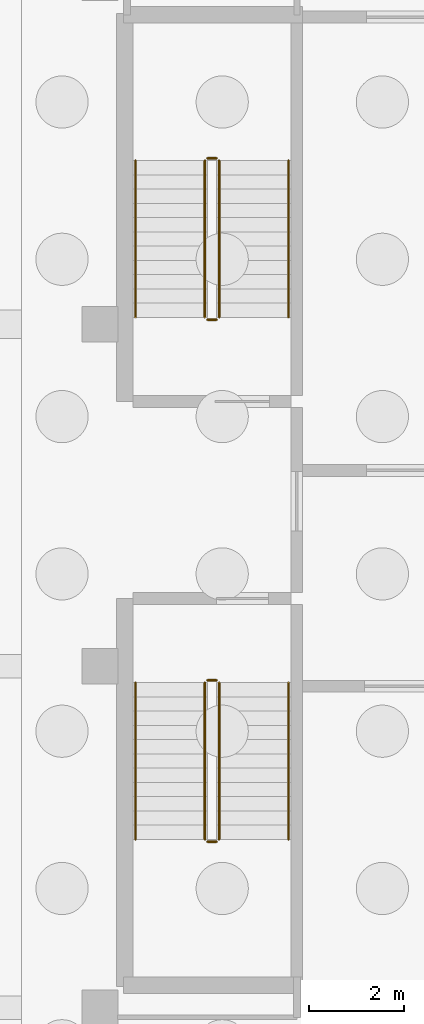
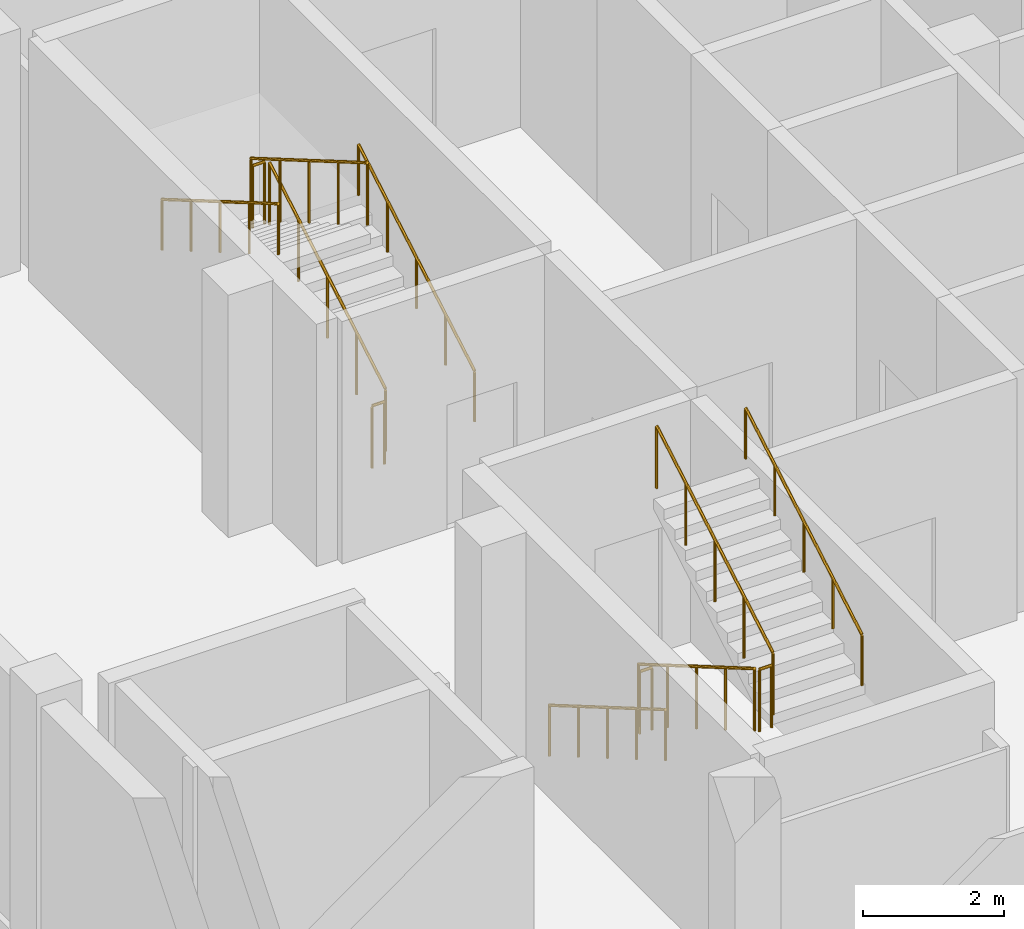
# One storey, part 19 of 21: 12 railings.
"""IFC4 building model written with IfcOpenShell, lengths in metres."""

from ifc_helpers import new_model, si_unit, direction, frame, origin, origin_2d, place, context, subcontext, project, spatial, circle, extrude, material, type_object, element, save


model = new_model("IFC4")

# Units and contexts
model_context = context("Model", 3, precision=1e-05, world=origin(), true_north=direction((0.0, 1.0)))
body_context = subcontext(model_context, "Body", "Model", "MODEL_VIEW")
ifc_project = project(units=[si_unit("LENGTHUNIT", "METRE"), si_unit("AREAUNIT", "SQUARE_METRE"), si_unit("VOLUMEUNIT", "CUBIC_METRE"), si_unit("PLANEANGLEUNIT", "RADIAN"), si_unit("MASSUNIT", "GRAM", prefix="KILO")], contexts=[model_context])

# Site, building, storey
site_placement = place(None, origin())
site = spatial("IfcSite", under=ifc_project, at=site_placement, CompositionType="ELEMENT")
building_placement = place(site_placement, origin())
building = spatial("IfcBuilding", under=site, at=building_placement, Name="Quillay Park Conservatory", CompositionType="ELEMENT")
storey_placement = place(building_placement, frame((0.0, 0.0, -8.39990234375)))
storey = spatial("IfcBuildingStorey", under=building, at=storey_placement, Name="B2", CompositionType="ELEMENT", Elevation=-8.39990234375)

# Railings
ifc_material_1 = material(Name="Steel S355J2H", Category="steel")
railing_type_1 = type_object("IfcRailingType", Name="STAIR WALL HANDRAIL 900", PredefinedType="HANDRAIL", material=ifc_material_1)
railing_1_placement = place(storey_placement, frame((11.820068359375, 92.550048828125, 0.1748046875)))
element("IfcRailing", 1, at=railing_1_placement, inside=storey, type_object=railing_type_1, Name="B2 ST-T1 stair handrail 1", PredefinedType="HANDRAIL", context=body_context, shape_type="SweptSolid", body=[
    extrude(circle(Radius=0.02392578125, at=origin_2d()), frame((0.0, 0.0, 0.8759765625), z_axis=(0.0, 0.863776583165, 0.503874998761), x_axis=(-1.0, 0.0, 0.0)), (0.0, 0.0, 1.0), 3.820556640625),
    extrude(circle(Radius=0.02099609375, at=origin_2d()), origin(), (0.0, 0.0, 1.0), 0.851806640625),
    extrude(circle(Radius=0.02099609375, at=origin_2d()), frame((0.0, 0.824951171875, 0.481201171875)), (0.0, 0.0, 1.0), 0.851806640625),
    extrude(circle(Radius=0.02099609375, at=origin_2d()), frame((0.0, 1.64990234375, 0.96240234375)), (0.0, 0.0, 1.0), 0.851806640625),
    extrude(circle(Radius=0.02099609375, at=origin_2d()), frame((0.0, 2.47509765625, 1.44384765625)), (0.0, 0.0, 1.0), 0.851806640625),
    extrude(circle(Radius=0.02099609375, at=origin_2d()), frame((0.0, 3.300048828125, 1.925048828125)), (0.0, 0.0, 1.0), 0.851806640625),
])
for number, where, name in (
    (2, (8.60009765625, 95.85009765625, 2.27490234375), "B2 ST-T1 stair handrail 2"),
    (3, (8.60009765625, 84.85009765625, 0.1748046875), "B2 ST-T2 stair handrail 1"),
):
    element("IfcRailing", number, at=place(storey_placement, frame(where)), inside=storey, type_object=railing_type_1, Name=name, PredefinedType="HANDRAIL", context=body_context, shape_type="SweptSolid", body=[
        extrude(circle(Radius=0.02392578125, at=origin_2d()), frame((0.0, 0.0, 0.8759765625), z_axis=(0.0, -0.863776583165, 0.503874998761), x_axis=(1.0, 0.0, 0.0)), (0.0, 0.0, 1.0), 3.820556640625),
        extrude(circle(Radius=0.02099609375, at=origin_2d()), origin(), (0.0, 0.0, 1.0), 0.851806640625),
        extrude(circle(Radius=0.02099609375, at=origin_2d()), frame((0.0, -0.824951171875, 0.481201171875)), (0.0, 0.0, 1.0), 0.851806640625),
        extrude(circle(Radius=0.02099609375, at=origin_2d()), frame((0.0, -1.64990234375, 0.96240234375)), (0.0, 0.0, 1.0), 0.851806640625),
        extrude(circle(Radius=0.02099609375, at=origin_2d()), frame((0.0, -2.47509765625, 1.44384765625)), (0.0, 0.0, 1.0), 0.851806640625),
        extrude(circle(Radius=0.02099609375, at=origin_2d()), frame((0.0, -3.300048828125, 1.925048828125)), (0.0, 0.0, 1.0), 0.851806640625),
    ])
railing_2_placement = place(storey_placement, frame((11.820068359375, 81.550048828125, 2.27490234375)))
element("IfcRailing", 4, at=railing_2_placement, inside=storey, type_object=railing_type_1, Name="B2 ST-T2 stair handrail 2", PredefinedType="HANDRAIL", context=body_context, shape_type="SweptSolid", body=[
    extrude(circle(Radius=0.02392578125, at=origin_2d()), frame((0.0, 0.0, 0.8759765625), z_axis=(0.0, 0.863776583165, 0.503874998761), x_axis=(-1.0, 0.0, 0.0)), (0.0, 0.0, 1.0), 3.820556640625),
    extrude(circle(Radius=0.02099609375, at=origin_2d()), origin(), (0.0, 0.0, 1.0), 0.851806640625),
    extrude(circle(Radius=0.02099609375, at=origin_2d()), frame((0.0, 0.824951171875, 0.481201171875)), (0.0, 0.0, 1.0), 0.851806640625),
    extrude(circle(Radius=0.02099609375, at=origin_2d()), frame((0.0, 1.64990234375, 0.96240234375)), (0.0, 0.0, 1.0), 0.851806640625),
    extrude(circle(Radius=0.02099609375, at=origin_2d()), frame((0.0, 2.47509765625, 1.44384765625)), (0.0, 0.0, 1.0), 0.851806640625),
    extrude(circle(Radius=0.02099609375, at=origin_2d()), frame((0.0, 3.300048828125, 1.925048828125)), (0.0, 0.0, 1.0), 0.851806640625),
])
ifc_material_2 = material(Name="Steel S355J2H", Category="steel")
railing_type_2 = type_object("IfcRailingType", Name="STAIR WELL GUARDRAIL 1100", PredefinedType="GUARDRAIL", material=ifc_material_2)
railing_3_placement = place(storey_placement, frame((10.360107421875, 92.550048828125, 0.1748046875)))
element("IfcRailing", 5, at=railing_3_placement, inside=storey, type_object=railing_type_2, Name="B2 ST-T1 stair guard 1", PredefinedType="GUARDRAIL", context=body_context, shape_type="SweptSolid", body=[
    extrude(circle(Radius=0.02392578125, at=origin_2d()), frame((0.0, 0.0, 1.076171875), z_axis=(0.0, 0.863776583165, 0.503874998761), x_axis=(-1.0, 0.0, 0.0)), (0.0, 0.0, 1.0), 3.820556640625),
    extrude(circle(Radius=0.02099609375, at=origin_2d()), origin(), (0.0, 0.0, 1.0), 1.052001953125),
    extrude(circle(Radius=0.02099609375, at=origin_2d()), frame((0.0, 0.824951171875, 0.481201171875)), (0.0, 0.0, 1.0), 1.052001953125),
    extrude(circle(Radius=0.02099609375, at=origin_2d()), frame((0.0, 1.64990234375, 0.96240234375)), (0.0, 0.0, 1.0), 1.052001953125),
    extrude(circle(Radius=0.02099609375, at=origin_2d()), frame((0.0, 2.47509765625, 1.44384765625)), (0.0, 0.0, 1.0), 1.052001953125),
    extrude(circle(Radius=0.02099609375, at=origin_2d()), frame((0.0, 3.300048828125, 1.925048828125)), (0.0, 0.0, 1.0), 1.052001953125),
])
railing_4_placement = place(storey_placement, frame((10.31005859375, 95.89990234375, 2.099853515625)))
element("IfcRailing", 6, at=railing_4_placement, inside=storey, type_object=railing_type_2, Name="B2 ST-T1 stair guard 2", PredefinedType="GUARDRAIL", context=body_context, shape_type="SweptSolid", body=[
    extrude(circle(Radius=0.02392578125, at=origin_2d()), frame((0.0, 0.0, 1.076171875), z_axis=(-1.0, 0.0, 0.0), x_axis=(0.0, -1.0, 0.0)), (0.0, 0.0, 1.0), 0.199951171875),
    extrude(circle(Radius=0.02099609375, at=origin_2d()), origin(), (0.0, 0.0, 1.0), 1.052001953125),
    extrude(circle(Radius=0.02099609375, at=origin_2d()), frame((-0.199951171875, 0.0, 0.0)), (0.0, 0.0, 1.0), 1.052001953125),
])
railing_5_placement = place(storey_placement, frame((10.06005859375, 95.85009765625, 2.27490234375)))
element("IfcRailing", 7, at=railing_5_placement, inside=storey, type_object=railing_type_2, Name="B2 ST-T1 stair guard 3", PredefinedType="GUARDRAIL", context=body_context, shape_type="SweptSolid", body=[
    extrude(circle(Radius=0.02392578125, at=origin_2d()), frame((0.0, 0.0, 1.076171875), z_axis=(0.0, -0.863776583165, 0.503874998761), x_axis=(1.0, 0.0, 0.0)), (0.0, 0.0, 1.0), 3.820556640625),
    extrude(circle(Radius=0.02099609375, at=origin_2d()), origin(), (0.0, 0.0, 1.0), 1.052001953125),
    extrude(circle(Radius=0.02099609375, at=origin_2d()), frame((0.0, -0.824951171875, 0.481201171875)), (0.0, 0.0, 1.0), 1.052001953125),
    extrude(circle(Radius=0.02099609375, at=origin_2d()), frame((0.0, -1.64990234375, 0.96240234375)), (0.0, 0.0, 1.0), 1.052001953125),
    extrude(circle(Radius=0.02099609375, at=origin_2d()), frame((0.0, -2.47509765625, 1.44384765625)), (0.0, 0.0, 1.0), 1.052001953125),
    extrude(circle(Radius=0.02099609375, at=origin_2d()), frame((0.0, -3.300048828125, 1.925048828125)), (0.0, 0.0, 1.0), 1.052001953125),
])
railing_6_placement = place(storey_placement, frame((10.31005859375, 92.5, 0.0)))
element("IfcRailing", 8, at=railing_6_placement, inside=storey, type_object=railing_type_2, Name="B2 ST-T1 stair guard 4", PredefinedType="GUARDRAIL", context=body_context, shape_type="SweptSolid", body=[
    extrude(circle(Radius=0.02392578125, at=origin_2d()), frame((0.0, 0.0, 1.076171875), z_axis=(-1.0, 0.0, 0.0), x_axis=(0.0, -1.0, 0.0)), (0.0, 0.0, 1.0), 0.199951171875),
    extrude(circle(Radius=0.02099609375, at=origin_2d()), origin(), (0.0, 0.0, 1.0), 1.052001953125),
    extrude(circle(Radius=0.02099609375, at=origin_2d()), frame((-0.199951171875, 0.0, 0.0)), (0.0, 0.0, 1.0), 1.052001953125),
])
railing_7_placement = place(storey_placement, frame((10.06005859375, 84.85009765625, 0.1748046875)))
element("IfcRailing", 9, at=railing_7_placement, inside=storey, type_object=railing_type_2, Name="B2 ST-T2 stair guard 1", PredefinedType="GUARDRAIL", context=body_context, shape_type="SweptSolid", body=[
    extrude(circle(Radius=0.02392578125, at=origin_2d()), frame((0.0, 0.0, 1.076171875), z_axis=(0.0, -0.863776583165, 0.503874998761), x_axis=(1.0, 0.0, 0.0)), (0.0, 0.0, 1.0), 3.820556640625),
    extrude(circle(Radius=0.02099609375, at=origin_2d()), origin(), (0.0, 0.0, 1.0), 1.052001953125),
    extrude(circle(Radius=0.02099609375, at=origin_2d()), frame((0.0, -0.824951171875, 0.481201171875)), (0.0, 0.0, 1.0), 1.052001953125),
    extrude(circle(Radius=0.02099609375, at=origin_2d()), frame((0.0, -1.64990234375, 0.96240234375)), (0.0, 0.0, 1.0), 1.052001953125),
    extrude(circle(Radius=0.02099609375, at=origin_2d()), frame((0.0, -2.47509765625, 1.44384765625)), (0.0, 0.0, 1.0), 1.052001953125),
    extrude(circle(Radius=0.02099609375, at=origin_2d()), frame((0.0, -3.300048828125, 1.925048828125)), (0.0, 0.0, 1.0), 1.052001953125),
])
railing_8_placement = place(storey_placement, frame((10.110107421875, 81.5, 2.099853515625)))
element("IfcRailing", 10, at=railing_8_placement, inside=storey, type_object=railing_type_2, Name="B2 ST-T2 stair guard 2", PredefinedType="GUARDRAIL", context=body_context, shape_type="SweptSolid", body=[
    extrude(circle(Radius=0.02392578125, at=origin_2d()), frame((0.0, 0.0, 1.076171875), z_axis=(1.0, 0.0, 0.0), x_axis=(0.0, 1.0, 0.0)), (0.0, 0.0, 1.0), 0.199951171875),
    extrude(circle(Radius=0.02099609375, at=origin_2d()), origin(), (0.0, 0.0, 1.0), 1.052001953125),
    extrude(circle(Radius=0.02099609375, at=origin_2d()), frame((0.199951171875, 0.0, 0.0)), (0.0, 0.0, 1.0), 1.052001953125),
])
railing_9_placement = place(storey_placement, frame((10.360107421875, 81.550048828125, 2.27490234375)))
element("IfcRailing", 11, at=railing_9_placement, inside=storey, type_object=railing_type_2, Name="B2 ST-T2 stair guard 3", PredefinedType="GUARDRAIL", context=body_context, shape_type="SweptSolid", body=[
    extrude(circle(Radius=0.02392578125, at=origin_2d()), frame((0.0, 0.0, 1.076171875), z_axis=(0.0, 0.863776583165, 0.503874998761), x_axis=(-1.0, 0.0, 0.0)), (0.0, 0.0, 1.0), 3.820556640625),
    extrude(circle(Radius=0.02099609375, at=origin_2d()), origin(), (0.0, 0.0, 1.0), 1.052001953125),
    extrude(circle(Radius=0.02099609375, at=origin_2d()), frame((0.0, 0.824951171875, 0.481201171875)), (0.0, 0.0, 1.0), 1.052001953125),
    extrude(circle(Radius=0.02099609375, at=origin_2d()), frame((0.0, 1.64990234375, 0.96240234375)), (0.0, 0.0, 1.0), 1.052001953125),
    extrude(circle(Radius=0.02099609375, at=origin_2d()), frame((0.0, 2.47509765625, 1.44384765625)), (0.0, 0.0, 1.0), 1.052001953125),
    extrude(circle(Radius=0.02099609375, at=origin_2d()), frame((0.0, 3.300048828125, 1.925048828125)), (0.0, 0.0, 1.0), 1.052001953125),
])
railing_10_placement = place(storey_placement, frame((10.110107421875, 84.89990234375, 0.0)))
element("IfcRailing", 12, at=railing_10_placement, inside=storey, type_object=railing_type_2, Name="B2 ST-T2 stair guard 4", PredefinedType="GUARDRAIL", context=body_context, shape_type="SweptSolid", body=[
    extrude(circle(Radius=0.02392578125, at=origin_2d()), frame((0.0, 0.0, 1.076171875), z_axis=(1.0, 0.0, 0.0), x_axis=(0.0, 1.0, 0.0)), (0.0, 0.0, 1.0), 0.199951171875),
    extrude(circle(Radius=0.02099609375, at=origin_2d()), origin(), (0.0, 0.0, 1.0), 1.052001953125),
    extrude(circle(Radius=0.02099609375, at=origin_2d()), frame((0.199951171875, 0.0, 0.0)), (0.0, 0.0, 1.0), 1.052001953125),
])

save(model, "model.ifc")
